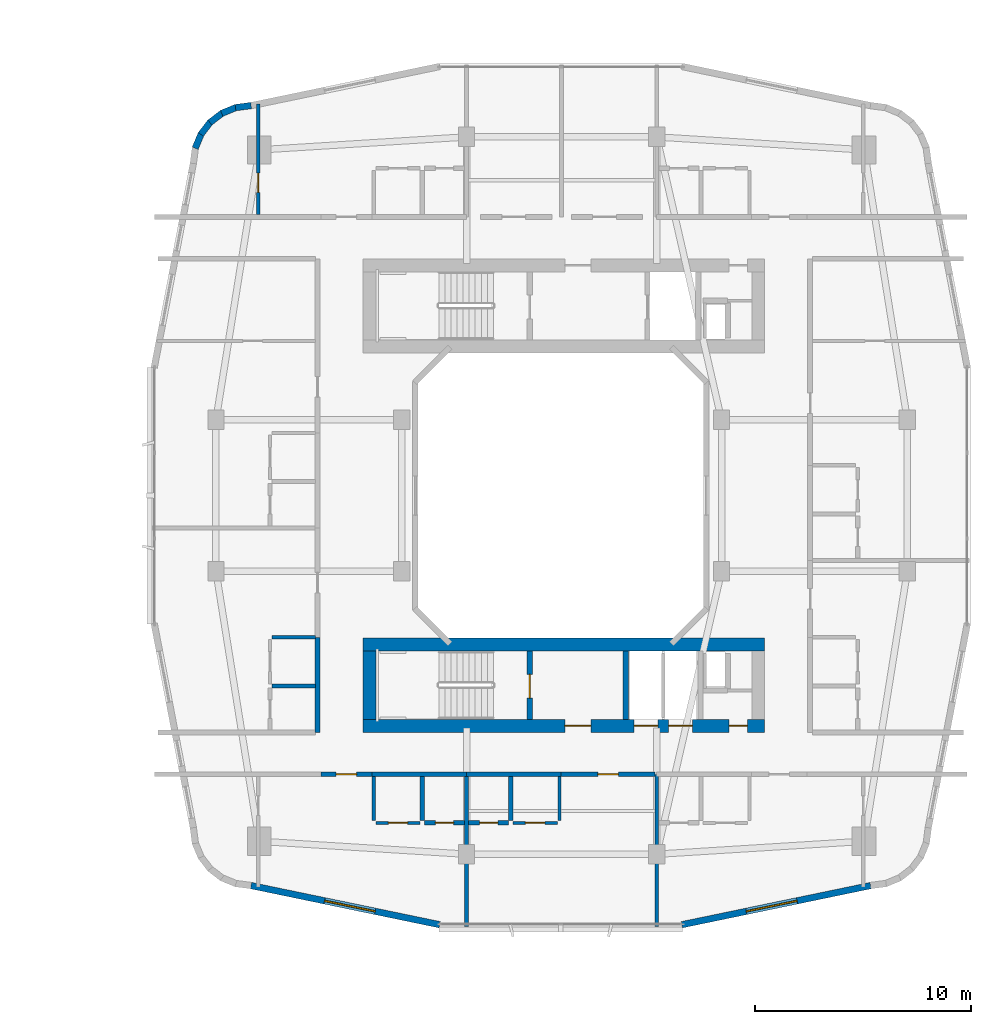
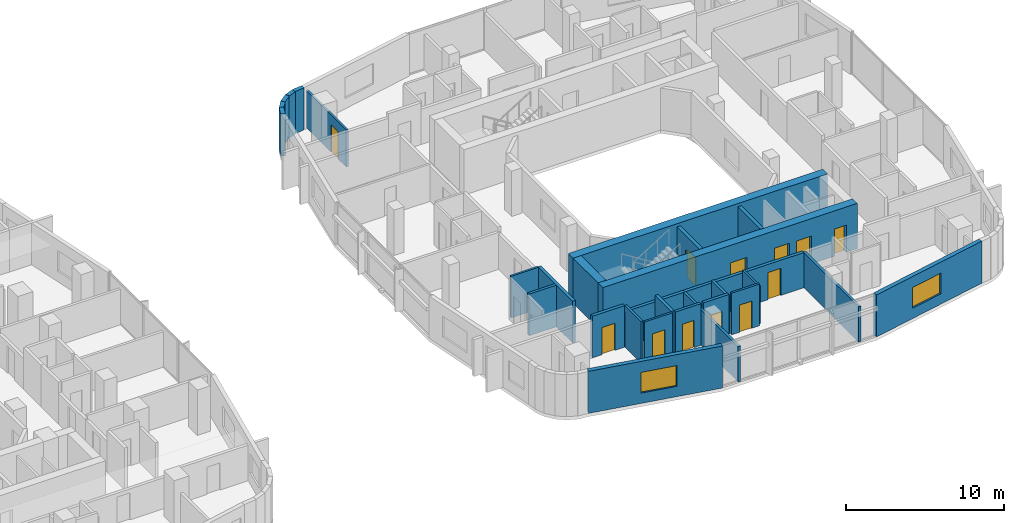
# One storey, part 18 of 27: 30 walls, 12 doors, 2 windows, 14 openings.
"""IFC4 building model written with IfcOpenShell, lengths in metres."""

from ifc_helpers import new_model, si_unit, derived_unit, direction, frame, frame_2d, origin, place, context, subcontext, project, spatial, rectangle, extrude, material, layer, layer_set, type_object, element, fill, save


model = new_model("IFC4")

# Units and contexts
model_context = context("Model", 3, precision=1e-05, world=origin(), true_north=direction((0.0, 1.0)))
body_context = subcontext(model_context, "Body", "Model", "MODEL_VIEW")
ifc_project = project(units=[si_unit("LENGTHUNIT", "METRE"), si_unit("AREAUNIT", "SQUARE_METRE"), si_unit("VOLUMEUNIT", "CUBIC_METRE"), si_unit("PLANEANGLEUNIT", "RADIAN"), si_unit("MASSUNIT", "GRAM", prefix="KILO"), derived_unit("THERMALTRANSMITTANCEUNIT", [(si_unit("POWERUNIT", "WATT"), 1), (si_unit("LENGTHUNIT", "METRE"), -2), (si_unit("THERMODYNAMICTEMPERATUREUNIT", "KELVIN"), -1)])], contexts=[model_context])

# Site, building, storey
site_placement = place(None, origin())
site = spatial("IfcSite", under=ifc_project, at=site_placement, CompositionType="ELEMENT")
building_placement = place(site_placement, origin())
building = spatial("IfcBuilding", under=site, at=building_placement, Name="Kivonza Crest Hotel", CompositionType="ELEMENT")
storey_placement = place(building_placement, frame((0.0, 0.0, 41.5)))
storey = spatial("IfcBuildingStorey", under=building, at=storey_placement, Name="L10", CompositionType="ELEMENT", Elevation=41.5)

# Walls
ifc_material_1 = material(Name="High-density acoustic masonry inter-tenancy wall", Category="masonry")
ifc_layer_1 = layer(ifc_material_1, 0.179931640625)
ifc_layer_set_1 = layer_set([ifc_layer_1], Name="High-density acoustic masonry inter-tenancy wall")
wall_type_1 = type_object("IfcWallType", Name="WL-ACOU-180", PredefinedType="SOLIDWALL", material=ifc_layer_set_1)
for number, where, z_axis, x_axis, name in (
    (1, (72.60009765625, 5.06005859375, 0.0), (0.0, 0.0, 1.0), (0.0, 1.0, 0.0), "L10 interior partition WA-L10-T2S-DIV1"),
    (2, (81.39990234375, 5.06005859375, 0.0), (0.0, 0.0, 1.0), (0.0, 1.0, 0.0), "L10 interior partition WA-L10-T2S-DIV2"),
):
    element("IfcWall", number, at=place(storey_placement, frame(where, z_axis=z_axis, x_axis=x_axis)), inside=storey, type_object=wall_type_1, Name=name, PredefinedType="SOLIDWALL", context=body_context, shape_type="SweptSolid", body=[
        extrude(rectangle(XDim=7.0400390625, YDim=0.179931640625, at=frame_2d((3.52001953125, 0.0))), origin(), (0.0, 0.0, 1.0), 2.72509765625),
    ])
ifc_material_2 = material(Name="Autoclaved aerated concrete blockwork", Category="masonry")
ifc_layer_2 = layer(ifc_material_2, 0.219970703125)
ifc_layer_set_2 = layer_set([ifc_layer_2], Name="Autoclaved aerated concrete blockwork")
wall_type_2 = type_object("IfcWallType", Name="WL-ACOU-220", PredefinedType="SOLIDWALL", material=ifc_layer_set_2)
wall_1_placement = place(storey_placement, frame((68.219970703125, 12.10009765625, 0.0), z_axis=(0.0, 0.0, 1.0), x_axis=(1.0, 0.0, 0.0)))
element("IfcWall", 3, at=wall_1_placement, inside=storey, type_object=wall_type_2, Name="L10 interior partition WA-L10-A03-RCORR", PredefinedType="SOLIDWALL", context=body_context, shape_type="SweptSolid", body=[
    extrude(rectangle(XDim=4.380126953125, YDim=0.219970703125, at=frame_2d((2.18994140625, 0.0))), origin(), (0.0, 0.0, 1.0), 2.72509765625),
])

# Wall, opening, door
wall_2_placement = place(storey_placement, frame((65.85009765625, 12.10009765625, 0.0), z_axis=(0.0, 0.0, 1.0), x_axis=(1.0, 0.0, 0.0)))
wall_2 = element("IfcWall", 4, at=wall_2_placement, inside=storey, type_object=wall_type_2, Name="L10 interior partition WA-L10-A03-MCORR", PredefinedType="SOLIDWALL", context=body_context, shape_type="SweptSolid", body=[
    extrude(rectangle(XDim=2.369873046875, YDim=0.219970703125, at=frame_2d((1.18505859375, 0.0))), origin(), (0.0, 0.0, 1.0), 3.219970703125),
])
opening_1_placement = place(wall_2_placement, frame((0.7099609375, 0.0, 0.0)))
opening_1 = element("IfcOpeningElement", 5, at=opening_1_placement, cuts=wall_2, Name="Opening DU-60", PredefinedType="OPENING", context=body_context, shape_type="SweptSolid", body=[
    extrude(rectangle(XDim=0.949951171875, YDim=2.10009765625, at=frame_2d((0.47509765625, 1.050048828125))), frame((0.0, 0.1201171875, 0.0), z_axis=(0.0, -1.0, 0.0), x_axis=(1.0, 0.0, 0.0)), (0.0, 0.0, 1.0), 0.239990234375),
])
ifc_material_3 = material(Name="Hardwood timber oak", Category="wood")
door_type_1 = type_object("IfcDoorType", Name="DR-UNIT-950", OperationType="NOTDEFINED", PredefinedType="DOOR", material=ifc_material_3)
door_1_placement = place(opening_1_placement, frame((0.949951171875, 0.0, 0.0), z_axis=(0.0, 0.0, 1.0), x_axis=(-1.0, 0.0, 0.0)))
door_1 = element("IfcDoor", 6, at=door_1_placement, inside=storey, type_object=door_type_1, Name="L10 A03 apartment entrance fire door", OperationType="SINGLE_SWING_LEFT", OverallHeight=2.10009765625, OverallWidth=0.949951171875, PredefinedType="DOOR", context=body_context, shape_type="SweptSolid", body=[
    extrude(rectangle(XDim=0.949951171875, YDim=2.10009765625, at=frame_2d((0.47509765625, 1.050048828125))), frame((0.0, 0.02490234375, 0.0), z_axis=(0.0, -1.0, 0.0), x_axis=(1.0, 0.0, 0.0)), (0.0, 0.0, 1.0), 0.050048828125),
])
fill(opening_1, door_1)

# Wall
wall_3_placement = place(storey_placement, frame((72.60009765625, 12.10009765625, 0.0), z_axis=(0.0, 0.0, 1.0), x_axis=(1.0, 0.0, 0.0)))
element("IfcWall", 7, at=wall_3_placement, inside=storey, type_object=wall_type_2, Name="L10 interior partition WA-L10-A04-LCORR", PredefinedType="SOLIDWALL", context=body_context, shape_type="SweptSolid", body=[
    extrude(rectangle(XDim=4.3798828125, YDim=0.219970703125, at=frame_2d((2.18994140625, 0.0))), origin(), (0.0, 0.0, 1.0), 2.72509765625),
])

# Wall, opening, door
wall_4_placement = place(storey_placement, frame((76.97998046875, 12.10009765625, 0.0), z_axis=(0.0, 0.0, 1.0), x_axis=(1.0, 0.0, 0.0)))
wall_4 = element("IfcWall", 8, at=wall_4_placement, inside=storey, type_object=wall_type_2, Name="L10 interior partition WA-L10-A04-MCORR", PredefinedType="SOLIDWALL", context=body_context, shape_type="SweptSolid", body=[
    extrude(rectangle(XDim=4.340087890625, YDim=0.219970703125, at=frame_2d((2.169921875, 0.0))), origin(), (0.0, 0.0, 1.0), 2.72509765625),
])
opening_2_placement = place(wall_4_placement, frame((1.695068359375, 0.0, 0.0)))
opening_2 = element("IfcOpeningElement", 9, at=opening_2_placement, cuts=wall_4, Name="Opening DU-60", PredefinedType="OPENING", context=body_context, shape_type="SweptSolid", body=[
    extrude(rectangle(XDim=0.949951171875, YDim=2.10009765625, at=frame_2d((0.47509765625, 1.050048828125))), frame((0.0, 0.1201171875, 0.0), z_axis=(0.0, -1.0, 0.0), x_axis=(1.0, 0.0, 0.0)), (0.0, 0.0, 1.0), 0.239990234375),
])
door_2_placement = place(opening_2_placement, frame((0.949951171875, 0.0, 0.0), z_axis=(0.0, 0.0, 1.0), x_axis=(-1.0, 0.0, 0.0)))
door_2 = element("IfcDoor", 10, at=door_2_placement, inside=storey, type_object=door_type_1, Name="L10 A04 apartment entrance fire door", OperationType="SINGLE_SWING_RIGHT", OverallHeight=2.10009765625, OverallWidth=0.949951171875, PredefinedType="DOOR", context=body_context, shape_type="SweptSolid", body=[
    extrude(rectangle(XDim=0.949951171875, YDim=2.10009765625, at=frame_2d((0.47509765625, 1.050048828125))), frame((0.0, 0.02490234375, 0.0), z_axis=(0.0, -1.0, 0.0), x_axis=(1.0, 0.0, 0.0)), (0.0, 0.0, 1.0), 0.050048828125),
])
fill(opening_2, door_2)

# Wall
wall_5_placement = place(storey_placement, frame((65.699951171875, 14.0400390625, 0.0), z_axis=(0.0, 0.0, 1.0), x_axis=(0.0, 1.0, 0.0)))
element("IfcWall", 11, at=wall_5_placement, inside=storey, type_object=wall_type_2, Name="L10 interior partition WA-L10-A06-BCORR", PredefinedType="SOLIDWALL", context=body_context, shape_type="SweptSolid", body=[
    extrude(rectangle(XDim=4.39990234375, YDim=0.219970703125, at=frame_2d((2.199951171875, 0.0))), origin(), (0.0, 0.0, 1.0), 3.219970703125),
])

# Wall, openings, doors
ifc_material_4 = material(Name="Concrete C60/75", Category="concrete")
ifc_layer_3 = layer(ifc_material_4, 0.60009765625)
ifc_layer_set_3 = layer_set([ifc_layer_3], Name="Concrete C60/75")
wall_type_3 = type_object("IfcWallType", Name="WL-CORE-600", PredefinedType="SHEAR", material=ifc_layer_set_3)
wall_6_placement = place(storey_placement, frame((67.800048828125, 14.340087890625, 0.0), z_axis=(0.0, 0.0, 1.0), x_axis=(1.0, 0.0, 0.0)))
wall_6 = element("IfcWall", 12, at=wall_6_placement, inside=storey, type_object=wall_type_3, Name="Core wall T2-S South L10", PredefinedType="SHEAR", context=body_context, shape_type="SweptSolid", body=[
    extrude(rectangle(XDim=18.599853515625, YDim=0.60009765625, at=frame_2d((9.2998046875, 0.0))), origin(), (0.0, 0.0, 1.0), 3.5),
])
opening_3_placement = place(wall_6_placement, frame((9.35009765625, 0.0, 0.0)))
opening_3 = element("IfcOpeningElement", 13, at=opening_3_placement, cuts=wall_6, Name="Opening DF-60", PredefinedType="OPENING", context=body_context, shape_type="SweptSolid", body=[
    extrude(rectangle(XDim=1.199951171875, YDim=2.14990234375, at=frame_2d((0.60009765625, 1.074951171875))), frame((0.0, 0.31005859375, 0.0), z_axis=(0.0, -1.0, 0.0), x_axis=(1.0, 0.0, 0.0)), (0.0, 0.0, 1.0), 0.6201171875),
])
opening_4_placement = place(wall_6_placement, frame((16.949951171875, 0.0, 0.0)))
opening_4 = element("IfcOpeningElement", 14, at=opening_4_placement, cuts=wall_6, Name="Opening DF-60R", PredefinedType="OPENING", context=body_context, shape_type="SweptSolid", body=[
    extrude(rectangle(XDim=0.85009765625, YDim=2.10009765625, at=frame_2d((0.425048828125, 1.050048828125))), frame((0.0, 0.31005859375, 0.0), z_axis=(0.0, -1.0, 0.0), x_axis=(1.0, 0.0, 0.0)), (0.0, 0.0, 1.0), 0.6201171875),
])
opening_5_placement = place(wall_6_placement, frame((12.550048828125, 0.0, 0.0)))
opening_5 = element("IfcOpeningElement", 15, at=opening_5_placement, cuts=wall_6, Name="Opening LD-120", PredefinedType="OPENING", context=body_context, shape_type="SweptSolid", body=[
    extrude(rectangle(XDim=1.10009765625, YDim=2.14990234375, at=frame_2d((0.550048828125, 1.074951171875))), frame((0.0, 0.31005859375, 0.0), z_axis=(0.0, -1.0, 0.0), x_axis=(1.0, 0.0, 0.0)), (0.0, 0.0, 1.0), 0.6201171875),
])
opening_6_placement = place(wall_6_placement, frame((14.14990234375, 0.0, 0.0)))
opening_6 = element("IfcOpeningElement", 16, at=opening_6_placement, cuts=wall_6, Name="Opening LD-120", PredefinedType="OPENING", context=body_context, shape_type="SweptSolid", body=[
    extrude(rectangle(XDim=1.10009765625, YDim=2.14990234375, at=frame_2d((0.550048828125, 1.074951171875))), frame((0.0, 0.31005859375, 0.0), z_axis=(0.0, -1.0, 0.0), x_axis=(1.0, 0.0, 0.0)), (0.0, 0.0, 1.0), 0.6201171875),
])
door_type_2 = type_object("IfcDoorType", Name="DR-FD60-1200", OperationType="NOTDEFINED", PredefinedType="DOOR", material=ifc_material_3)
door_3_placement = place(opening_3_placement, frame((1.199951171875, 0.0, 0.0), z_axis=(0.0, 0.0, 1.0), x_axis=(-1.0, 0.0, 0.0)))
door_3 = element("IfcDoor", 17, at=door_3_placement, inside=storey, type_object=door_type_2, Name="L10 T2-S firefighting lobby fire door", OperationType="SINGLE_SWING_LEFT", OverallHeight=2.14990234375, OverallWidth=1.199951171875, PredefinedType="DOOR", context=body_context, shape_type="SweptSolid", body=[
    extrude(rectangle(XDim=1.199951171875, YDim=2.14990234375, at=frame_2d((0.60009765625, 1.074951171875))), frame((0.0, 0.02490234375, 0.0), z_axis=(0.0, -1.0, 0.0), x_axis=(1.0, 0.0, 0.0)), (0.0, 0.0, 1.0), 0.050048828125),
])
fill(opening_3, door_3)
door_type_3 = type_object("IfcDoorType", Name="DR-FD60-850", OperationType="NOTDEFINED", PredefinedType="DOOR", material=ifc_material_3)
door_4_placement = place(opening_4_placement, frame((0.85009765625, 0.0, 0.0), z_axis=(0.0, 0.0, 1.0), x_axis=(-1.0, 0.0, 0.0)))
door_4 = element("IfcDoor", 18, at=door_4_placement, inside=storey, type_object=door_type_3, Name="L10 T2-S core room door", OperationType="SINGLE_SWING_RIGHT", OverallHeight=2.10009765625, OverallWidth=0.85009765625, PredefinedType="DOOR", context=body_context, shape_type="SweptSolid", body=[
    extrude(rectangle(XDim=0.85009765625, YDim=2.10009765625, at=frame_2d((0.425048828125, 1.050048828125))), frame((0.0, 0.02490234375, 0.0), z_axis=(0.0, -1.0, 0.0), x_axis=(1.0, 0.0, 0.0)), (0.0, 0.0, 1.0), 0.050048828125),
])
fill(opening_4, door_4)
ifc_material_5 = material(Name="Stainless steel", Category="steel")
door_type_4 = type_object("IfcDoorType", Name="DR-LD120-1100", OperationType="NOTDEFINED", PredefinedType="DOOR", material=ifc_material_5)
door_5_placement = place(opening_5_placement, frame((1.10009765625, 0.0, 0.0), z_axis=(0.0, 0.0, 1.0), x_axis=(-1.0, 0.0, 0.0)))
door_5 = element("IfcDoor", 19, at=door_5_placement, inside=storey, type_object=door_type_4, Name="L10 PL-T2-1 passenger lift sliding landing door", OperationType="DOUBLE_DOOR_SLIDING", OverallHeight=2.14990234375, OverallWidth=1.10009765625, PredefinedType="DOOR", context=body_context, shape_type="SweptSolid", body=[
    extrude(rectangle(XDim=1.10009765625, YDim=2.14990234375, at=frame_2d((0.550048828125, 1.074951171875))), frame((0.0, 0.02490234375, 0.0), z_axis=(0.0, -1.0, 0.0), x_axis=(1.0, 0.0, 0.0)), (0.0, 0.0, 1.0), 0.050048828125),
])
fill(opening_5, door_5)
door_6_placement = place(opening_6_placement, frame((1.10009765625, 0.0, 0.0), z_axis=(0.0, 0.0, 1.0), x_axis=(-1.0, 0.0, 0.0)))
door_6 = element("IfcDoor", 20, at=door_6_placement, inside=storey, type_object=door_type_4, Name="L10 PL-T2-2 passenger lift sliding landing door", OperationType="DOUBLE_DOOR_SLIDING", OverallHeight=2.14990234375, OverallWidth=1.10009765625, PredefinedType="DOOR", context=body_context, shape_type="SweptSolid", body=[
    extrude(rectangle(XDim=1.10009765625, YDim=2.14990234375, at=frame_2d((0.550048828125, 1.074951171875))), frame((0.0, 0.02490234375, 0.0), z_axis=(0.0, -1.0, 0.0), x_axis=(1.0, 0.0, 0.0)), (0.0, 0.0, 1.0), 0.050048828125),
])
fill(opening_6, door_6)

# Walls
wall_7_placement = place(storey_placement, frame((67.800048828125, 18.10009765625, 0.0), z_axis=(0.0, 0.0, 1.0), x_axis=(1.0, 0.0, 0.0)))
element("IfcWall", 21, at=wall_7_placement, inside=storey, type_object=wall_type_3, Name="Core wall T2-S North L10", PredefinedType="SHEAR", context=body_context, shape_type="SweptSolid", body=[
    extrude(rectangle(XDim=18.599853515625, YDim=0.60009765625, at=frame_2d((9.2998046875, 0.0))), origin(), (0.0, 0.0, 1.0), 3.5),
])
wall_8_placement = place(storey_placement, frame((68.10009765625, 14.639892578125, 0.0), z_axis=(0.0, 0.0, 1.0), x_axis=(0.0, 1.0, 0.0)))
element("IfcWall", 22, at=wall_8_placement, inside=storey, type_object=wall_type_3, Name="Core wall T2-S West L10", PredefinedType="SHEAR", context=body_context, shape_type="SweptSolid", body=[
    extrude(rectangle(XDim=3.16015625, YDim=0.60009765625, at=frame_2d((1.580078125, 0.0))), origin(), (0.0, 0.0, 1.0), 3.5),
])

# Wall, opening, window
ifc_material_6 = material(Name="Precast concrete C40/50", Category="concrete")
ifc_layer_4 = layer(ifc_material_6, 0.300048828125)
ifc_layer_set_4 = layer_set([ifc_layer_4], Name="Precast concrete C40/50")
wall_type_4 = type_object("IfcWallType", Name="WL-EXT-300", PredefinedType="STANDARD", material=ifc_layer_set_4)
wall_9_placement = place(storey_placement, frame((62.6220703125, 6.948974609375, 0.0), z_axis=(0.0, 0.0, 1.0), x_axis=(0.979127260729, -0.203248142175, 0.0)))
wall_9 = element("IfcWall", 23, at=wall_9_placement, inside=storey, type_object=wall_type_4, Name="L10 T2 exterior insulated wall 7", PredefinedType="STANDARD", context=body_context, shape_type="SweptSolid", body=[
    extrude(rectangle(XDim=8.920166015625, YDim=0.300048828125, at=frame_2d((4.4599609375, 0.0))), origin(), (0.0, 0.0, 1.0), 3.25),
])
opening_7_placement = place(wall_9_placement, frame((3.471923828125, 0.0, 0.800048828125)))
opening_7 = element("IfcOpeningElement", 24, at=opening_7_placement, cuts=wall_9, Name="Opening WN-05", PredefinedType="OPENING", context=body_context, shape_type="SweptSolid", body=[
    extrude(rectangle(XDim=2.39990234375, YDim=1.60009765625, at=frame_2d((1.199951171875, 0.800048828125))), frame((0.0, 0.16015625, 0.0), z_axis=(0.0, -1.0, 0.0), x_axis=(1.0, 0.0, 0.0)), (0.0, 0.0, 1.0), 0.320068359375),
])
ifc_material_7 = material(Name="Thermally broken bronze aluminium and low-E double glazing", Category="aluminium")
window_type = type_object("IfcWindowType", Name="WN-240x160", PartitioningType="TRIPLE_PANEL_VERTICAL", PredefinedType="WINDOW", material=ifc_material_7)
window_1_placement = place(opening_7_placement, origin())
window_1 = element("IfcWindow", 25, at=window_1_placement, inside=storey, type_object=window_type, Name="L10 T2 facade window 7", OverallHeight=1.60009765625, OverallWidth=2.39990234375, PartitioningType="SINGLE_PANEL", PredefinedType="WINDOW", context=body_context, shape_type="SweptSolid", body=[
    extrude(rectangle(XDim=2.39990234375, YDim=1.60009765625, at=frame_2d((1.199951171875, 0.800048828125))), frame((0.0, 0.030029296875, 0.0), z_axis=(0.0, -1.0, 0.0), x_axis=(1.0, 0.0, 0.0)), (0.0, 0.0, 1.0), 0.06005859375),
])
fill(opening_7, window_1)

wall_10_placement = place(storey_placement, frame((82.56396484375, 5.135986328125, 0.0), z_axis=(0.0, 0.0, 1.0), x_axis=(0.979128391325, 0.203242695569, 0.0)))
wall_10 = element("IfcWall", 26, at=wall_10_placement, inside=storey, type_object=wall_type_4, Name="L10 T2 exterior insulated wall 9", PredefinedType="STANDARD", context=body_context, shape_type="SweptSolid", body=[
    extrude(rectangle(XDim=8.92041015625, YDim=0.300048828125, at=frame_2d((4.460205078125, 0.0))), origin(), (0.0, 0.0, 1.0), 3.25),
])
opening_8_placement = place(wall_10_placement, frame((3.048095703125, 0.0, 0.800048828125)))
opening_8 = element("IfcOpeningElement", 27, at=opening_8_placement, cuts=wall_10, Name="Opening WN-05", PredefinedType="OPENING", context=body_context, shape_type="SweptSolid", body=[
    extrude(rectangle(XDim=2.39990234375, YDim=1.60009765625, at=frame_2d((1.199951171875, 0.800048828125))), frame((0.0, 0.16015625, 0.0), z_axis=(0.0, -1.0, 0.0), x_axis=(1.0, 0.0, 0.0)), (0.0, 0.0, 1.0), 0.320068359375),
])
window_2_placement = place(opening_8_placement, origin())
window_2 = element("IfcWindow", 28, at=window_2_placement, inside=storey, type_object=window_type, Name="L10 T2 facade window 9", OverallHeight=1.60009765625, OverallWidth=2.39990234375, PartitioningType="SINGLE_PANEL", PredefinedType="WINDOW", context=body_context, shape_type="SweptSolid", body=[
    extrude(rectangle(XDim=2.39990234375, YDim=1.60009765625, at=frame_2d((1.199951171875, 0.800048828125))), frame((0.0, 0.030029296875, 0.0), z_axis=(0.0, -1.0, 0.0), x_axis=(1.0, 0.0, 0.0)), (0.0, 0.0, 1.0), 0.06005859375),
])
fill(opening_8, window_2)

# Walls
wall_11_placement = place(storey_placement, frame((62.626953125, 43.052001953125, 0.0), z_axis=(0.0, 0.0, 1.0), x_axis=(-0.991480488834, -0.130255288807, 0.0)))
element("IfcWall", 29, at=wall_11_placement, inside=storey, type_object=wall_type_4, Name="L10 T2 exterior insulated wall 28", PredefinedType="STANDARD", context=body_context, shape_type="SweptSolid", body=[
    extrude(rectangle(XDim=0.72900390625, YDim=0.300048828125, at=frame_2d((0.364501953125, 0.0))), origin(), (0.0, 0.0, 1.0), 3.25),
])
for number, where, z_axis, x_axis, name in (
    (30, (61.955078125, 42.97607421875, 0.0), (0.0, 0.0, 1.0), (-0.923521684703, -0.383546213491, 0.0), "L10 T2 exterior insulated wall 29"),
    (31, (61.31103515625, 42.720947265625, 0.0), (0.0, 0.0, 1.0), (-0.79363269798, -0.608397189915, 0.0), "L10 T2 exterior insulated wall 30"),
    (32, (60.75390625, 42.30908203125, 0.0), (0.0, 0.0, 1.0), (-0.608397189915, -0.79363269798, 0.0), "L10 T2 exterior insulated wall 31"),
    (33, (60.323974609375, 41.76611328125, 0.0), (0.0, 0.0, 1.0), (-0.383151213466, -0.923685632463, 0.0), "L10 T2 exterior insulated wall 32"),
):
    element("IfcWall", number, at=place(storey_placement, frame(where, z_axis=z_axis, x_axis=x_axis)), inside=storey, type_object=wall_type_4, Name=name, PredefinedType="STANDARD", context=body_context, shape_type="SweptSolid", body=[
        extrude(rectangle(XDim=0.74609375, YDim=0.300048828125, at=frame_2d((0.373046875, 0.0))), origin(), (0.0, 0.0, 1.0), 3.25),
    ])

# Wall, opening, door
ifc_material_8 = material(Name="Twin-stud acoustic gypsum board partition", Category="gypsum")
ifc_layer_5 = layer(ifc_material_8, 0.14990234375)
ifc_layer_set_5 = layer_set([ifc_layer_5], Name="Twin-stud acoustic gypsum board partition")
wall_type_5 = type_object("IfcWallType", Name="WL-PART-150", PredefinedType="PARTITIONING", material=ifc_layer_set_5)
wall_12_placement = place(storey_placement, frame((62.9599609375, 38.0, 0.0), z_axis=(0.0, 0.0, 1.0), x_axis=(0.0, 1.0, 0.0)))
wall_12 = element("IfcWall", 34, at=wall_12_placement, inside=storey, type_object=wall_type_5, Name="L10 interior partition WP-L10-A01-BDW1", PredefinedType="PARTITIONING", context=body_context, shape_type="SweptSolid", body=[
    extrude(rectangle(XDim=5.113037109375, YDim=0.14990234375, at=frame_2d((2.556640625, 0.0))), origin(), (0.0, 0.0, 1.0), 2.864990234375),
])
opening_9_placement = place(wall_12_placement, frame((1.030029296875, 0.0, 0.0)))
opening_9 = element("IfcOpeningElement", 35, at=opening_9_placement, cuts=wall_12, Name="Opening DI-90", PredefinedType="OPENING", context=body_context, shape_type="SweptSolid", body=[
    extrude(rectangle(XDim=0.89990234375, YDim=2.10009765625, at=frame_2d((0.449951171875, 1.050048828125))), frame((0.0, 0.0849609375, 0.0), z_axis=(0.0, -1.0, 0.0), x_axis=(1.0, 0.0, 0.0)), (0.0, 0.0, 1.0), 0.169921875),
])
door_type_5 = type_object("IfcDoorType", Name="DR-INT-900", OperationType="NOTDEFINED", PredefinedType="DOOR", material=ifc_material_3)
door_7_placement = place(opening_9_placement, origin())
door_7 = element("IfcDoor", 36, at=door_7_placement, inside=storey, type_object=door_type_5, Name="L10 A01 bedroom 1 door", OperationType="SINGLE_SWING_RIGHT", OverallHeight=2.10009765625, OverallWidth=0.89990234375, PredefinedType="DOOR", context=body_context, shape_type="SweptSolid", body=[
    extrude(rectangle(XDim=0.89990234375, YDim=2.10009765625, at=frame_2d((0.449951171875, 1.050048828125))), frame((0.0, 0.02490234375, 0.0), z_axis=(0.0, -1.0, 0.0), x_axis=(1.0, 0.0, 0.0)), (0.0, 0.0, 1.0), 0.050048828125),
])
fill(opening_9, door_7)

# Wall
wall_13_placement = place(storey_placement, frame((68.300048828125, 9.949951171875, 0.0), z_axis=(0.0, 0.0, 1.0), x_axis=(0.0, 1.0, 0.0)))
element("IfcWall", 37, at=wall_13_placement, inside=storey, type_object=wall_type_5, Name="L10 interior partition WP-L10-A03-KF", PredefinedType="PARTITIONING", context=body_context, shape_type="SweptSolid", body=[
    extrude(rectangle(XDim=2.050048828125, YDim=0.14990234375, at=frame_2d((1.02490234375, 0.0))), origin(), (0.0, 0.0, 1.0), 3.219970703125),
])

# Wall, opening, door
wall_14_placement = place(storey_placement, frame((68.39990234375, 9.85009765625, 0.0), z_axis=(0.0, 0.0, 1.0), x_axis=(1.0, 0.0, 0.0)))
wall_14 = element("IfcWall", 38, at=wall_14_placement, inside=storey, type_object=wall_type_5, Name="L10 interior partition WP-L10-A03-KSVC", PredefinedType="PARTITIONING", context=body_context, shape_type="SweptSolid", body=[
    extrude(rectangle(XDim=2.050048828125, YDim=0.14990234375, at=frame_2d((1.02490234375, 0.0))), origin(), (0.0, 0.0, 1.0), 3.219970703125),
])
opening_10_placement = place(wall_14_placement, frame((0.574951171875, 0.0, 0.0)))
opening_10 = element("IfcOpeningElement", 39, at=opening_10_placement, cuts=wall_14, Name="Opening DI-90", PredefinedType="OPENING", context=body_context, shape_type="SweptSolid", body=[
    extrude(rectangle(XDim=0.89990234375, YDim=2.10009765625, at=frame_2d((0.449951171875, 1.050048828125))), frame((0.0, 0.0849609375, 0.0), z_axis=(0.0, -1.0, 0.0), x_axis=(1.0, 0.0, 0.0)), (0.0, 0.0, 1.0), 0.169921875),
])
door_8_placement = place(opening_10_placement, frame((0.89990234375, 0.0, 0.0), z_axis=(0.0, 0.0, 1.0), x_axis=(-1.0, 0.0, 0.0)))
door_8 = element("IfcDoor", 40, at=door_8_placement, inside=storey, type_object=door_type_5, Name="L10 A03 apartment kitchen door", OperationType="SINGLE_SWING_LEFT", OverallHeight=2.10009765625, OverallWidth=0.89990234375, PredefinedType="DOOR", context=body_context, shape_type="SweptSolid", body=[
    extrude(rectangle(XDim=0.89990234375, YDim=2.10009765625, at=frame_2d((0.449951171875, 1.050048828125))), frame((0.0, 0.02490234375, 0.0), z_axis=(0.0, -1.0, 0.0), x_axis=(1.0, 0.0, 0.0)), (0.0, 0.0, 1.0), 0.050048828125),
])
fill(opening_10, door_8)

# Wall
wall_15_placement = place(storey_placement, frame((76.89990234375, 9.949951171875, 0.0), z_axis=(0.0, 0.0, 1.0), x_axis=(0.0, 1.0, 0.0)))
element("IfcWall", 41, at=wall_15_placement, inside=storey, type_object=wall_type_5, Name="L10 interior partition WP-L10-A04-KF", PredefinedType="PARTITIONING", context=body_context, shape_type="SweptSolid", body=[
    extrude(rectangle(XDim=2.050048828125, YDim=0.14990234375, at=frame_2d((1.02490234375, 0.0))), origin(), (0.0, 0.0, 1.0), 2.925048828125),
])

# Wall, opening, door
wall_16_placement = place(storey_placement, frame((74.75, 9.85009765625, 0.0), z_axis=(0.0, 0.0, 1.0), x_axis=(1.0, 0.0, 0.0)))
wall_16 = element("IfcWall", 42, at=wall_16_placement, inside=storey, type_object=wall_type_5, Name="L10 interior partition WP-L10-A04-KSVC", PredefinedType="PARTITIONING", context=body_context, shape_type="SweptSolid", body=[
    extrude(rectangle(XDim=2.050048828125, YDim=0.14990234375, at=frame_2d((1.02490234375, 0.0))), origin(), (0.0, 0.0, 1.0), 3.219970703125),
])
opening_11_placement = place(wall_16_placement, frame((0.574951171875, 0.0, 0.0)))
opening_11 = element("IfcOpeningElement", 43, at=opening_11_placement, cuts=wall_16, Name="Opening DI-90", PredefinedType="OPENING", context=body_context, shape_type="SweptSolid", body=[
    extrude(rectangle(XDim=0.89990234375, YDim=2.10009765625, at=frame_2d((0.449951171875, 1.050048828125))), frame((0.0, 0.0849609375, 0.0), z_axis=(0.0, -1.0, 0.0), x_axis=(1.0, 0.0, 0.0)), (0.0, 0.0, 1.0), 0.169921875),
])
door_9_placement = place(opening_11_placement, frame((0.89990234375, 0.0, 0.0), z_axis=(0.0, 0.0, 1.0), x_axis=(-1.0, 0.0, 0.0)))
door_9 = element("IfcDoor", 44, at=door_9_placement, inside=storey, type_object=door_type_5, Name="L10 A04 apartment kitchen door", OperationType="SINGLE_SWING_RIGHT", OverallHeight=2.10009765625, OverallWidth=0.89990234375, PredefinedType="DOOR", context=body_context, shape_type="SweptSolid", body=[
    extrude(rectangle(XDim=0.89990234375, YDim=2.10009765625, at=frame_2d((0.449951171875, 1.050048828125))), frame((0.0, 0.02490234375, 0.0), z_axis=(0.0, -1.0, 0.0), x_axis=(1.0, 0.0, 0.0)), (0.0, 0.0, 1.0), 0.050048828125),
])
fill(opening_11, door_9)

# Walls
wall_17_placement = place(storey_placement, frame((63.60009765625, 18.43994140625, 0.0), z_axis=(0.0, 0.0, 1.0), x_axis=(1.0, 0.0, 0.0)))
element("IfcWall", 45, at=wall_17_placement, inside=storey, type_object=wall_type_5, Name="L10 interior partition WP-L10-A06-KF", PredefinedType="PARTITIONING", context=body_context, shape_type="SweptSolid", body=[
    extrude(rectangle(XDim=2.0, YDim=0.14990234375, at=frame_2d((1.0, 0.0))), origin(), (0.0, 0.0, 1.0), 3.219970703125),
])
ifc_material_9 = material(Name="Moisture-resistant plumbing chase partition wall", Category="gypsum")
ifc_layer_6 = layer(ifc_material_9, 0.199951171875)
ifc_layer_set_6 = layer_set([ifc_layer_6], Name="Moisture-resistant plumbing chase partition wall")
wall_type_6 = type_object("IfcWallType", Name="WL-PLUMB-200", PredefinedType="PLUMBINGWALL", material=ifc_layer_set_6)
wall_18_placement = place(storey_placement, frame((70.550048828125, 9.949951171875, 0.0), z_axis=(0.0, 0.0, 1.0), x_axis=(0.0, 1.0, 0.0)))
element("IfcWall", 46, at=wall_18_placement, inside=storey, type_object=wall_type_6, Name="L10 interior partition WW-L10-A03-BK", PredefinedType="PLUMBINGWALL", context=body_context, shape_type="SweptSolid", body=[
    extrude(rectangle(XDim=2.050048828125, YDim=0.199951171875, at=frame_2d((1.02490234375, 0.0))), origin(), (0.0, 0.0, 1.0), 3.219970703125),
])

# Wall, opening, door
wall_19_placement = place(storey_placement, frame((70.64990234375, 9.85009765625, 0.0), z_axis=(0.0, 0.0, 1.0), x_axis=(1.0, 0.0, 0.0)))
wall_19 = element("IfcWall", 47, at=wall_19_placement, inside=storey, type_object=wall_type_6, Name="L10 interior partition WW-L10-A03-BSVC", PredefinedType="PLUMBINGWALL", context=body_context, shape_type="SweptSolid", body=[
    extrude(rectangle(XDim=1.85009765625, YDim=0.199951171875, at=frame_2d((0.925048828125, 0.0))), origin(), (0.0, 0.0, 1.0), 3.219970703125),
])
opening_12_placement = place(wall_19_placement, frame((0.5, 0.0, 0.0)))
opening_12 = element("IfcOpeningElement", 48, at=opening_12_placement, cuts=wall_19, Name="Opening DI-85", PredefinedType="OPENING", context=body_context, shape_type="SweptSolid", body=[
    extrude(rectangle(XDim=0.85009765625, YDim=2.10009765625, at=frame_2d((0.425048828125, 1.050048828125))), frame((0.0, 0.10986328125, 0.0), z_axis=(0.0, -1.0, 0.0), x_axis=(1.0, 0.0, 0.0)), (0.0, 0.0, 1.0), 0.219970703125),
])
door_type_6 = type_object("IfcDoorType", Name="DR-INT-850", OperationType="NOTDEFINED", PredefinedType="DOOR", material=ifc_material_3)
door_10_placement = place(opening_12_placement, frame((0.85009765625, 0.0, 0.0), z_axis=(0.0, 0.0, 1.0), x_axis=(-1.0, 0.0, 0.0)))
door_10 = element("IfcDoor", 49, at=door_10_placement, inside=storey, type_object=door_type_6, Name="L10 A03 apartment bathroom door", OperationType="SINGLE_SWING_RIGHT", OverallHeight=2.10009765625, OverallWidth=0.85009765625, PredefinedType="DOOR", context=body_context, shape_type="SweptSolid", body=[
    extrude(rectangle(XDim=0.85009765625, YDim=2.10009765625, at=frame_2d((0.425048828125, 1.050048828125))), frame((0.0, 0.02490234375, 0.0), z_axis=(0.0, -1.0, 0.0), x_axis=(1.0, 0.0, 0.0)), (0.0, 0.0, 1.0), 0.050048828125),
])
fill(opening_12, door_10)

# Wall
wall_20_placement = place(storey_placement, frame((74.64990234375, 9.949951171875, 0.0), z_axis=(0.0, 0.0, 1.0), x_axis=(0.0, 1.0, 0.0)))
element("IfcWall", 50, at=wall_20_placement, inside=storey, type_object=wall_type_6, Name="L10 interior partition WW-L10-A04-BK", PredefinedType="PLUMBINGWALL", context=body_context, shape_type="SweptSolid", body=[
    extrude(rectangle(XDim=2.050048828125, YDim=0.199951171875, at=frame_2d((1.02490234375, 0.0))), origin(), (0.0, 0.0, 1.0), 2.925048828125),
])

# Wall, opening, door
wall_21_placement = place(storey_placement, frame((72.699951171875, 9.85009765625, 0.0), z_axis=(0.0, 0.0, 1.0), x_axis=(1.0, 0.0, 0.0)))
wall_21 = element("IfcWall", 51, at=wall_21_placement, inside=storey, type_object=wall_type_6, Name="L10 interior partition WW-L10-A04-BSVC", PredefinedType="PLUMBINGWALL", context=body_context, shape_type="SweptSolid", body=[
    extrude(rectangle(XDim=1.85009765625, YDim=0.199951171875, at=frame_2d((0.925048828125, 0.0))), origin(), (0.0, 0.0, 1.0), 3.219970703125),
])
opening_13_placement = place(wall_21_placement, frame((0.5, 0.0, 0.0)))
opening_13 = element("IfcOpeningElement", 52, at=opening_13_placement, cuts=wall_21, Name="Opening DI-85", PredefinedType="OPENING", context=body_context, shape_type="SweptSolid", body=[
    extrude(rectangle(XDim=0.85009765625, YDim=2.10009765625, at=frame_2d((0.425048828125, 1.050048828125))), frame((0.0, 0.10986328125, 0.0), z_axis=(0.0, -1.0, 0.0), x_axis=(1.0, 0.0, 0.0)), (0.0, 0.0, 1.0), 0.219970703125),
])
door_11_placement = place(opening_13_placement, frame((0.85009765625, 0.0, 0.0), z_axis=(0.0, 0.0, 1.0), x_axis=(-1.0, 0.0, 0.0)))
door_11 = element("IfcDoor", 53, at=door_11_placement, inside=storey, type_object=door_type_6, Name="L10 A04 apartment bathroom door", OperationType="SINGLE_SWING_LEFT", OverallHeight=2.10009765625, OverallWidth=0.85009765625, PredefinedType="DOOR", context=body_context, shape_type="SweptSolid", body=[
    extrude(rectangle(XDim=0.85009765625, YDim=2.10009765625, at=frame_2d((0.425048828125, 1.050048828125))), frame((0.0, 0.02490234375, 0.0), z_axis=(0.0, -1.0, 0.0), x_axis=(1.0, 0.0, 0.0)), (0.0, 0.0, 1.0), 0.050048828125),
])
fill(opening_13, door_11)

# Wall
wall_22_placement = place(storey_placement, frame((63.60009765625, 16.18994140625, 0.0), z_axis=(0.0, 0.0, 1.0), x_axis=(1.0, 0.0, 0.0)))
element("IfcWall", 54, at=wall_22_placement, inside=storey, type_object=wall_type_6, Name="L10 interior partition WW-L10-A06-BK", PredefinedType="PLUMBINGWALL", context=body_context, shape_type="SweptSolid", body=[
    extrude(rectangle(XDim=2.0, YDim=0.199951171875, at=frame_2d((1.0, 0.0))), origin(), (0.0, 0.0, 1.0), 3.219970703125),
])

# Wall, opening, door
ifc_material_10 = material(Name="Concrete C50/60", Category="concrete")
ifc_layer_7 = layer(ifc_material_10, 0.25)
ifc_layer_set_7 = layer_set([ifc_layer_7], Name="Concrete C50/60")
wall_type_7 = type_object("IfcWallType", Name="WL-SHAFT-250", PredefinedType="STANDARD", material=ifc_layer_set_7)
wall_23_placement = place(storey_placement, frame((75.52490234375, 14.639892578125, 0.0), z_axis=(0.0, 0.0, 1.0), x_axis=(0.0, 1.0, 0.0)))
wall_23 = element("IfcWall", 55, at=wall_23_placement, inside=storey, type_object=wall_type_7, Name="Core shaft wall T2-S STAIR L10", PredefinedType="STANDARD", context=body_context, shape_type="SweptSolid", body=[
    extrude(rectangle(XDim=3.16015625, YDim=0.25, at=frame_2d((1.580078125, 0.0))), origin(), (0.0, 0.0, 1.0), 3.25),
])
opening_14_placement = place(wall_23_placement, frame((0.97998046875, 0.0, 0.0)))
opening_14 = element("IfcOpeningElement", 56, at=opening_14_placement, cuts=wall_23, Name="Opening DF-120", PredefinedType="OPENING", context=body_context, shape_type="SweptSolid", body=[
    extrude(rectangle(XDim=1.10009765625, YDim=2.14990234375, at=frame_2d((0.550048828125, 1.074951171875))), frame((0.0, 0.135009765625, 0.0), z_axis=(0.0, -1.0, 0.0), x_axis=(1.0, 0.0, 0.0)), (0.0, 0.0, 1.0), 0.27001953125),
])
ifc_material_11 = material(Name="Galvanised steel", Category="steel")
door_type_7 = type_object("IfcDoorType", Name="DR-FD120-1100", OperationType="NOTDEFINED", PredefinedType="DOOR", material=ifc_material_11)
door_12_placement = place(opening_14_placement, frame((1.10009765625, 0.0, 0.0), z_axis=(0.0, 0.0, 1.0), x_axis=(-1.0, 0.0, 0.0)))
door_12 = element("IfcDoor", 57, at=door_12_placement, inside=storey, type_object=door_type_7, Name="L10 T2-S stair fire door", OperationType="SINGLE_SWING_RIGHT", OverallHeight=2.14990234375, OverallWidth=1.10009765625, PredefinedType="DOOR", context=body_context, shape_type="SweptSolid", body=[
    extrude(rectangle(XDim=1.10009765625, YDim=2.14990234375, at=frame_2d((0.550048828125, 1.074951171875))), frame((0.0, 0.02490234375, 0.0), z_axis=(0.0, -1.0, 0.0), x_axis=(1.0, 0.0, 0.0)), (0.0, 0.0, 1.0), 0.050048828125),
])
fill(opening_14, door_12)

# Wall
wall_24_placement = place(storey_placement, frame((79.97509765625, 14.639892578125, 0.0), z_axis=(0.0, 0.0, 1.0), x_axis=(0.0, 1.0, 0.0)))
element("IfcWall", 58, at=wall_24_placement, inside=storey, type_object=wall_type_7, Name="Core shaft wall T2-S BANK-W L10", PredefinedType="STANDARD", context=body_context, shape_type="SweptSolid", body=[
    extrude(rectangle(XDim=3.16015625, YDim=0.25, at=frame_2d((1.580078125, 0.0))), origin(), (0.0, 0.0, 1.0), 3.25),
])

save(model, "model.ifc")
